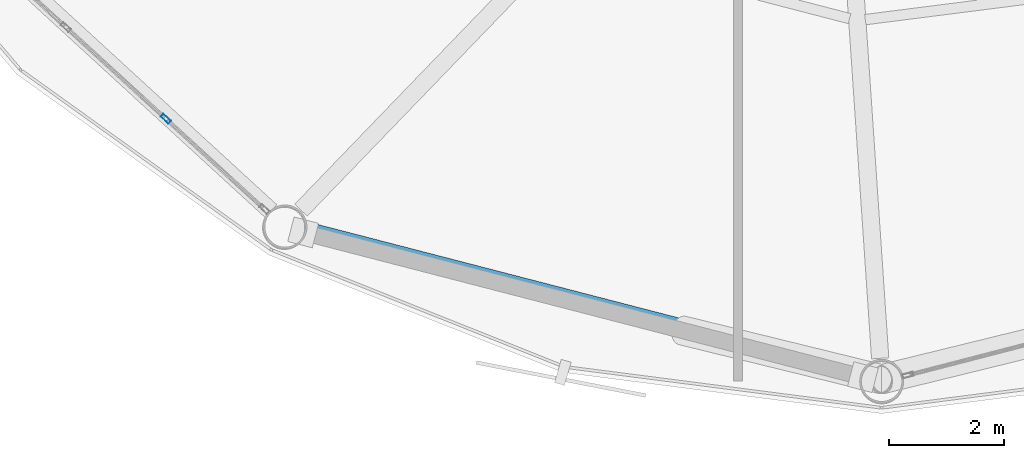
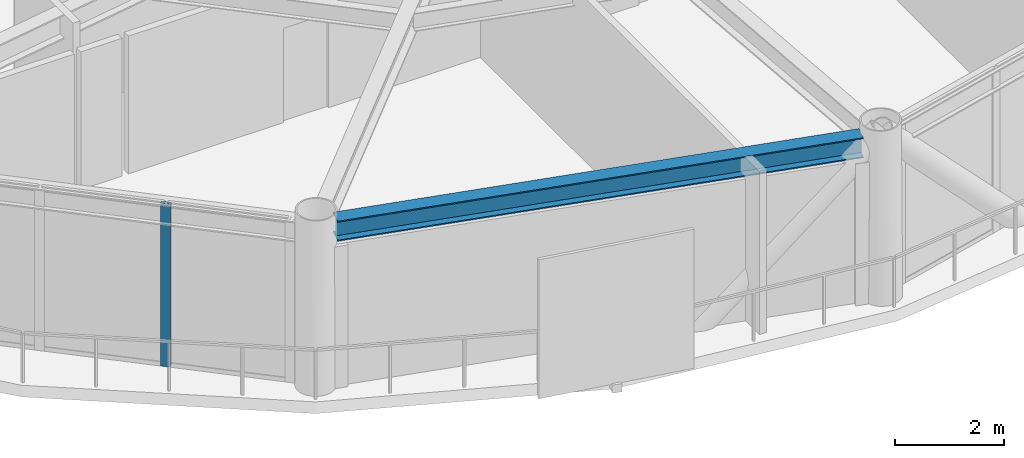
# One storey, part 3 of 27: 1 beam, 1 member, 1 element without a shape of its own.
"""IFC4 building model written with IfcOpenShell, lengths in metres."""

from ifc_helpers import new_model, si_unit, direction, frame, origin, origin_2d, place, context, subcontext, project, spatial, hollow_rectangle, i_section, extrude, material, layer, layer_set, material_profile, profile_set, type_object, element, aggregate, save


model = new_model("IFC4")

# Units and contexts
model_context = context("Model", 3, precision=1e-05, world=origin(), true_north=direction((0.0, 1.0)))
body_context = subcontext(model_context, "Body", "Model", "MODEL_VIEW")
ifc_project = project(units=[si_unit("LENGTHUNIT", "METRE"), si_unit("AREAUNIT", "SQUARE_METRE"), si_unit("VOLUMEUNIT", "CUBIC_METRE"), si_unit("PLANEANGLEUNIT", "RADIAN"), si_unit("MASSUNIT", "GRAM", prefix="KILO")], contexts=[model_context])

# Site, building, storey
site_placement = place(None, origin())
site = spatial("IfcSite", under=ifc_project, at=site_placement, CompositionType="ELEMENT")
building_placement = place(site_placement, origin())
building = spatial("IfcBuilding", under=site, at=building_placement, Name="Varnakorn Sky Granary", CompositionType="ELEMENT")
storey_placement = place(building_placement, frame((0.0, 0.0, 142.199951171875)))
storey = spatial("IfcBuildingStorey", under=building, at=storey_placement, Name="L35", CompositionType="ELEMENT", Elevation=142.199951171875)

# Beam
ifc_material_1 = material(Name="Steel S355JR", Category="steel")
ifc_material_profile_1 = material_profile(ifc_material_1, i_section(OverallWidth=0.300048828125, OverallDepth=0.449951171875, WebThickness=0.013916015625, FlangeThickness=0.02587890625, at=origin_2d()), Name="HE 450 B")
ifc_profile_set_1 = profile_set([ifc_material_profile_1], Name="Steel S355JR")
beam_type = type_object("IfcBeamType", Name="BM-SPD-Z3", PredefinedType="SPANDREL", material=ifc_profile_set_1)
beam_placement = place(storey_placement, frame((-11.503173828125, -16.547119140625, 3.4150390625), z_axis=(0.968106562543, -0.250538786541, 0.0), x_axis=(0.250538786541, 0.968106562543, 0.0)))
element("IfcBeam", 1, at=beam_placement, inside=storey, type_object=beam_type, Name="Perimeter Spandrel Ring Beam RB09 L35", PredefinedType="SPANDREL", context=body_context, shape_type="SweptSolid", body=[
    extrude(i_section(OverallWidth=0.300048828125, OverallDepth=0.449951171875, WebThickness=0.013916015625, FlangeThickness=0.02587890625, at=origin_2d()), origin(), (0.0, 0.0, 1.0), 9.966796875),
])

# Curtain wall, member
ifc_material_2 = material(Name="Anodised Bronze Aluminium Alloy 6063-T6", Category="aluminium")
ifc_layer = layer(ifc_material_2, 0.179931640625, Name="Anodised Bronze Aluminium Alloy 6063-T6")
ifc_layer_set = layer_set([ifc_layer], Name="Anodised Bronze Aluminium Alloy 6063-T6")
curtain_wall_type = type_object("IfcCurtainWallType", Name="CW-FRM-2", PredefinedType="USERDEFINED", material=ifc_layer_set)
curtain_wall_placement = place(storey_placement, origin())
curtain_wall = element("IfcCurtainWall", 2, at=curtain_wall_placement, inside=storey, type_object=curtain_wall_type, Name="Unitised Curtain Wall CW4 CW-L35-B08", ObjectType="CURTAIN WALL", PredefinedType="USERDEFINED")
ifc_material_profile_2 = material_profile(ifc_material_2, hollow_rectangle(XDim=0.070068359375, YDim=0.18505859375, WallThickness=0.00390625, at=origin_2d()), Name="ALU MULL 70x185")
ifc_profile_set_2 = profile_set([ifc_material_profile_2], Name="Anodised Bronze Aluminium Alloy 6063-T6")
member_type = type_object("IfcMemberType", Name="CW-FRM-2-MULL", PredefinedType="MULLION", material=ifc_profile_set_2)
member_placement = place(storey_placement, frame((-13.955322265625, -14.60400390625, 0.0), z_axis=(0.0, 0.0, 1.0), x_axis=(-0.675684798243, -0.737190649305, 0.0)))
member = element("IfcMember", 3, at=member_placement, type_object=member_type, Name="CW4 mullion 2", PredefinedType="MULLION", context=body_context, shape_type="SweptSolid", body=[
    extrude(hollow_rectangle(XDim=0.070068359375, YDim=0.18505859375, WallThickness=0.00390625, at=origin_2d()), origin(), (0.0, 0.0, 1.0), 3.64013671875),
])
aggregate(curtain_wall, [member])

save(model, "model.ifc")
